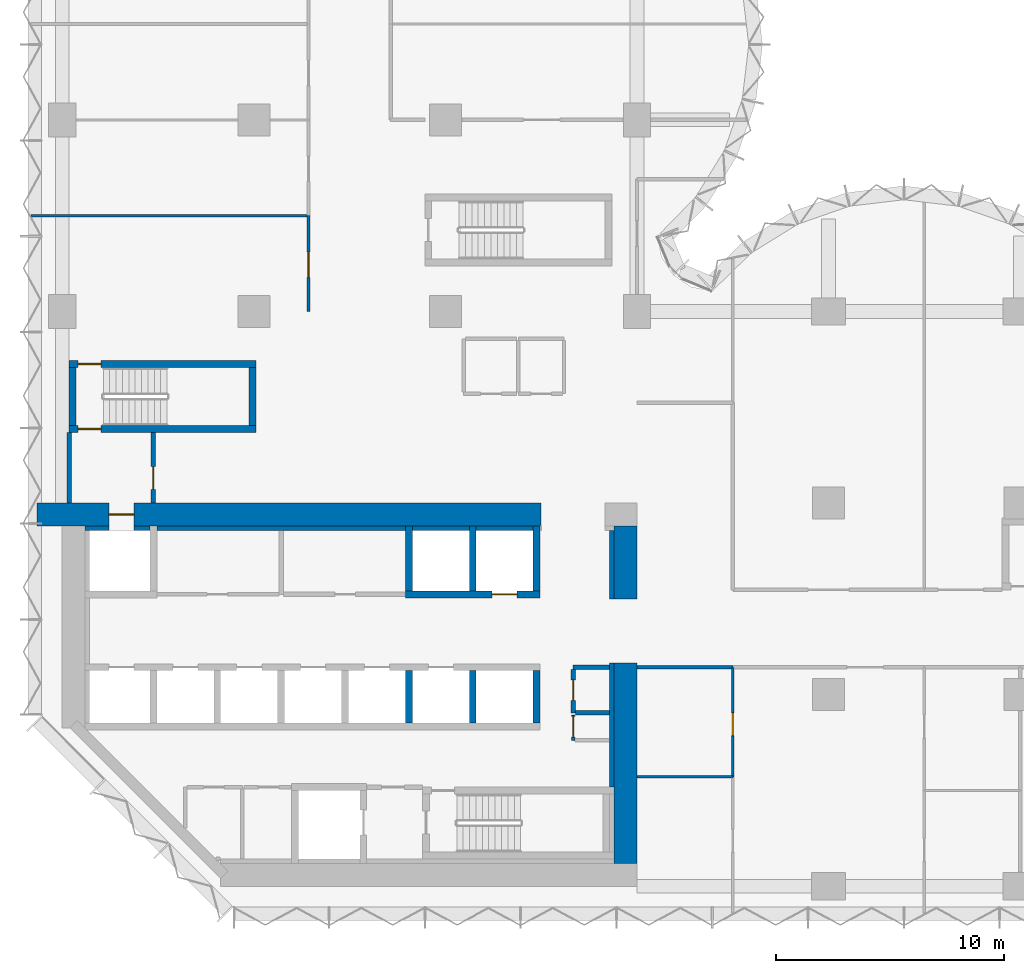
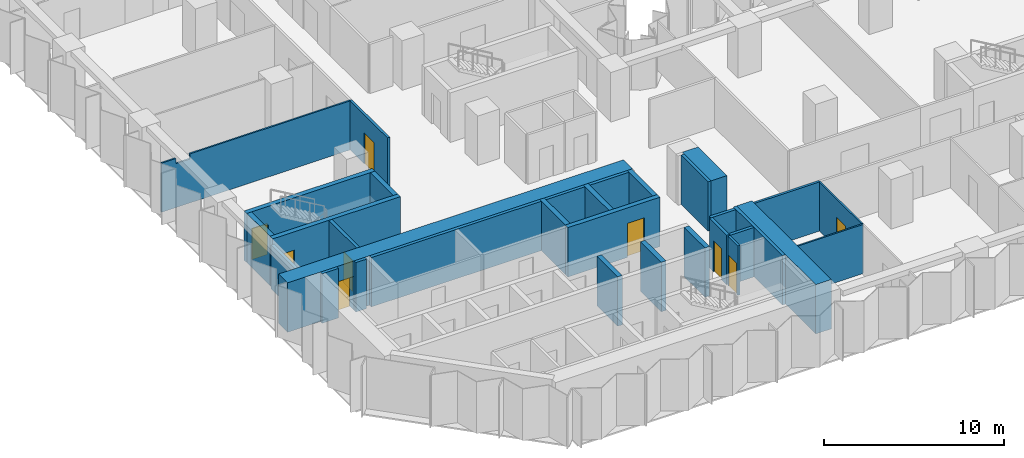
# One storey, part 8 of 15: 32 walls, 9 doors, 9 openings.
"""IFC4 building model written with IfcOpenShell, lengths in metres."""

from ifc_helpers import new_model, si_unit, direction, frame, frame_2d, origin, place, context, subcontext, project, spatial, polyline, rectangle, outline, extrude, material, layer, layer_set, type_object, element, fill, save


model = new_model("IFC4")

# Units and contexts
model_context = context("Model", 3, precision=1e-05, world=origin(), true_north=direction((0.0, 1.0)))
body_context = subcontext(model_context, "Body", "Model", "MODEL_VIEW")
ifc_project = project(units=[si_unit("LENGTHUNIT", "METRE"), si_unit("AREAUNIT", "SQUARE_METRE"), si_unit("VOLUMEUNIT", "CUBIC_METRE"), si_unit("PLANEANGLEUNIT", "RADIAN"), si_unit("MASSUNIT", "GRAM", prefix="KILO")], contexts=[model_context])

# Site, building, storey
site_placement = place(None, origin())
site = spatial("IfcSite", under=ifc_project, at=site_placement, CompositionType="ELEMENT")
building_placement = place(site_placement, origin())
building = spatial("IfcBuilding", under=site, at=building_placement, Name="Brevane Broadcast Tower", CompositionType="ELEMENT")
storey_placement = place(building_placement, frame((0.0, 0.0, 54.5)))
storey = spatial("IfcBuildingStorey", under=building, at=storey_placement, Name="L11", CompositionType="ELEMENT", Elevation=54.5)

# Walls
ifc_material_1 = material(Name="Concrete C32/40", Category="concrete")
ifc_layer_1 = layer(ifc_material_1, 0.199951171875)
ifc_layer_set_1 = layer_set([ifc_layer_1], Name="Core chase wall 200 mm")
wall_type_1 = type_object("IfcWallType", Name="Core chase wall 200 mm", PredefinedType="PARTITIONING", material=ifc_layer_set_1)
wall_1_placement = place(storey_placement, frame((24.10009765625, 12.60009765625, 0.0), z_axis=(0.0, 0.0, 1.0), x_axis=(0.0, 1.0, 0.0)))
element("IfcWall", 1, at=wall_1_placement, inside=storey, type_object=wall_type_1, Name="L11 chase wall LE2", PredefinedType="PARTITIONING", context=body_context, shape_type="SweptSolid", body=[
    extrude(rectangle(XDim=3.0, YDim=0.199951171875, at=frame_2d((1.5, 0.0))), origin(), (0.0, 0.0, 1.0), 3.35009765625),
])
wall_2_placement = place(storey_placement, frame((1.0, 15.699951171875, 0.0), z_axis=(0.0, 0.0, 1.0), x_axis=(1.0, 0.0, 0.0)))
element("IfcWall", 2, at=wall_2_placement, inside=storey, type_object=wall_type_1, Name="L11 chase wall LN0", PredefinedType="PARTITIONING", context=body_context, shape_type="SweptSolid", body=[
    extrude(rectangle(XDim=1.050048828125, YDim=0.199951171875, at=frame_2d((0.52490234375, 0.0))), origin(), (0.0, 0.0, 1.0), 3.35009765625),
])
wall_3_placement = place(storey_placement, frame((3.14990234375, 15.699951171875, 0.0), z_axis=(0.0, 0.0, 1.0), x_axis=(1.0, 0.0, 0.0)))
element("IfcWall", 3, at=wall_3_placement, inside=storey, type_object=wall_type_1, Name="L11 chase wall LN1-1", PredefinedType="PARTITIONING", context=body_context, shape_type="SweptSolid", body=[
    extrude(rectangle(XDim=0.7001953125, YDim=0.199951171875, at=frame_2d((0.35009765625, 0.0))), origin(), (0.0, 0.0, 1.0), 3.35009765625),
])
wall_4_placement = place(storey_placement, frame((4.14990234375, 15.699951171875, 0.0), z_axis=(0.0, 0.0, 1.0), x_axis=(1.0, 0.0, 0.0)))
element("IfcWall", 4, at=wall_4_placement, inside=storey, type_object=wall_type_1, Name="L11 chase wall LN1-2-1", PredefinedType="PARTITIONING", context=body_context, shape_type="SweptSolid", body=[
    extrude(rectangle(XDim=10.900146484375, YDim=0.199951171875, at=frame_2d((5.4501953125, 0.0))), origin(), (0.0, 0.0, 1.0), 3.35009765625),
])
for number, where, z_axis, x_axis, name in (
    (5, (15.35009765625, 15.699951171875, 0.0), (0.0, 0.0, 1.0), (1.0, 0.0, 0.0), "L11 chase wall LN1-2-2-1"),
    (6, (18.14990234375, 15.699951171875, 0.0), (0.0, 0.0, 1.0), (1.0, 0.0, 0.0), "L11 chase wall LN1-2-2-2-1"),
):
    element("IfcWall", number, at=place(storey_placement, frame(where, z_axis=z_axis, x_axis=x_axis)), inside=storey, type_object=wall_type_1, Name=name, PredefinedType="PARTITIONING", context=body_context, shape_type="SweptSolid", body=[
        extrude(rectangle(XDim=2.5, YDim=0.199951171875, at=frame_2d((1.25, 0.0))), origin(), (0.0, 0.0, 1.0), 3.35009765625),
    ])
wall_5_placement = place(storey_placement, frame((24.10009765625, 4.35009765625, 0.0), z_axis=(0.0, 0.0, 1.0), x_axis=(0.0, 1.0, 0.0)))
element("IfcWall", 7, at=wall_5_placement, inside=storey, type_object=wall_type_1, Name="L11 chase wall LE1-2-2", PredefinedType="PARTITIONING", context=body_context, shape_type="SweptSolid", body=[
    extrude(rectangle(XDim=5.449951171875, YDim=0.199951171875, at=frame_2d((2.72509765625, 0.0))), origin(), (0.0, 0.0, 1.0), 3.35009765625),
])

# Wall, opening, door
ifc_material_2 = material(Name="Gypsum board on steel studs", Category="steel")
ifc_layer_2 = layer(ifc_material_2, 0.14990234375)
ifc_layer_set_2 = layer_set([ifc_layer_2], Name="Core fire partition 150 mm")
wall_type_2 = type_object("IfcWallType", Name="Core fire partition 150 mm", PredefinedType="PARTITIONING", material=ifc_layer_set_2)
wall_6_placement = place(storey_placement, frame((22.39990234375, 7.5, 0.0), z_axis=(0.0, 0.0, 1.0), x_axis=(0.0, -1.0, 0.0)))
wall_6 = element("IfcWall", 8, at=wall_6_placement, inside=storey, type_object=wall_type_2, Name="L11 partition wall P22", PredefinedType="PARTITIONING", context=body_context, shape_type="SweptSolid", body=[
    extrude(rectangle(XDim=1.10009765625, YDim=0.14990234375, at=frame_2d((0.550048828125, 0.0))), origin(), (0.0, 0.0, 1.0), 3.35009765625),
])
opening_1_placement = place(wall_6_placement, frame((0.050048828125, 0.0, 0.0)))
opening_1 = element("IfcOpeningElement", 9, at=opening_1_placement, cuts=wall_6, Name="Opening L11-K19", PredefinedType="OPENING", context=body_context, shape_type="SweptSolid", body=[
    extrude(rectangle(XDim=0.89990234375, YDim=2.10009765625, at=frame_2d((0.449951171875, 1.050048828125))), frame((0.0, 0.0849609375, 0.0), z_axis=(0.0, -1.0, 0.0), x_axis=(1.0, 0.0, 0.0)), (0.0, 0.0, 1.0), 0.169921875),
])
ifc_material_3 = material(Name="Steel", Category="steel")
door_type_1 = type_object("IfcDoorType", Name="Service room door 900 x 2100", OperationType="SINGLE_SWING_LEFT", PredefinedType="DOOR", material=ifc_material_3)
door_1_placement = place(opening_1_placement, origin())
door_1 = element("IfcDoor", 10, at=door_1_placement, inside=storey, type_object=door_type_1, Name="Door L11-K19", OperationType="SINGLE_SWING_RIGHT", OverallHeight=2.10009765625, OverallWidth=0.89990234375, PredefinedType="DOOR", context=body_context, shape_type="SweptSolid", body=[
    extrude(rectangle(XDim=0.89990234375, YDim=2.10009765625, at=frame_2d((0.449951171875, 1.050048828125))), frame((0.0, 0.02490234375, 0.0), z_axis=(0.0, -1.0, 0.0), x_axis=(1.0, 0.0, 0.0)), (0.0, 0.0, 1.0), 0.050048828125),
])
fill(opening_1, door_1)

# Wall
ifc_layer_3 = layer(ifc_material_2, 0.199951171875)
ifc_layer_set_3 = layer_set([ifc_layer_3], Name="Core fire partition 200 mm")
wall_type_3 = type_object("IfcWallType", Name="Core fire partition 200 mm", PredefinedType="PARTITIONING", material=ifc_layer_set_3)
wall_7_placement = place(storey_placement, frame((0.300048828125, 16.81201171875, 0.0), z_axis=(0.0, 0.0, 1.0), x_axis=(0.0, 1.0, 0.0)))
element("IfcWall", 11, at=wall_7_placement, inside=storey, type_object=wall_type_3, Name="L11 partition wall P01", PredefinedType="PARTITIONING", context=body_context, shape_type="SweptSolid", body=[
    extrude(rectangle(XDim=3.075927734375, YDim=0.199951171875, at=frame_2d((1.5380859375, 0.0))), origin(), (0.0, 0.0, 1.0), 2.97998046875),
])

# Wall, opening, door
wall_8_placement = place(storey_placement, frame((4.0, 19.887939453125, 0.0), z_axis=(0.0, 0.0, 1.0), x_axis=(0.0, -1.0, 0.0)))
wall_8 = element("IfcWall", 12, at=wall_8_placement, inside=storey, type_object=wall_type_3, Name="L11 partition wall P02", PredefinedType="PARTITIONING", context=body_context, shape_type="SweptSolid", body=[
    extrude(rectangle(XDim=3.075927734375, YDim=0.199951171875, at=frame_2d((1.5380859375, 0.0))), origin(), (0.0, 0.0, 1.0), 3.35009765625),
])
opening_2_placement = place(wall_8_placement, frame((1.488037109375, 0.0, 0.0)))
opening_2 = element("IfcOpeningElement", 13, at=opening_2_placement, cuts=wall_8, Name="Opening L11-K23", PredefinedType="OPENING", context=body_context, shape_type="SweptSolid", body=[
    extrude(rectangle(XDim=1.0, YDim=2.10009765625, at=frame_2d((0.5, 1.050048828125))), frame((0.0, 0.10986328125, 0.0), z_axis=(0.0, -1.0, 0.0), x_axis=(1.0, 0.0, 0.0)), (0.0, 0.0, 1.0), 0.219970703125),
])
door_type_2 = type_object("IfcDoorType", Name="Stair door 1000 x 2100", OperationType="SINGLE_SWING_LEFT", PredefinedType="DOOR", material=ifc_material_3)
door_2_placement = place(opening_2_placement, origin())
door_2 = element("IfcDoor", 14, at=door_2_placement, inside=storey, type_object=door_type_2, Name="Door L11-K23", OperationType="SINGLE_SWING_RIGHT", OverallHeight=2.10009765625, OverallWidth=1.0, PredefinedType="DOOR", context=body_context, shape_type="SweptSolid", body=[
    extrude(rectangle(XDim=1.0, YDim=2.10009765625, at=frame_2d((0.5, 1.050048828125))), frame((0.0, 0.02490234375, 0.0), z_axis=(0.0, -1.0, 0.0), x_axis=(1.0, 0.0, 0.0)), (0.0, 0.0, 1.0), 0.050048828125),
])
fill(opening_2, door_2)

# Wall
wall_9_placement = place(storey_placement, frame((23.988037109375, 9.60009765625, 0.0), z_axis=(0.0, 0.0, 1.0), x_axis=(-1.0, 0.0, 0.0)))
element("IfcWall", 15, at=wall_9_placement, inside=storey, type_object=wall_type_3, Name="L11 partition wall P06", PredefinedType="PARTITIONING", context=body_context, shape_type="SweptSolid", body=[
    extrude(rectangle(XDim=1.588134765625, YDim=0.199951171875, at=frame_2d((0.7939453125, 0.0))), origin(), (0.0, 0.0, 1.0), 3.35009765625),
])

# Wall, opening, door
wall_10_placement = place(storey_placement, frame((22.39990234375, 9.5, 0.0), z_axis=(0.0, 0.0, 1.0), x_axis=(0.0, -1.0, 0.0)))
wall_10 = element("IfcWall", 16, at=wall_10_placement, inside=storey, type_object=wall_type_3, Name="L11 partition wall P07", PredefinedType="PARTITIONING", context=body_context, shape_type="SweptSolid", body=[
    extrude(rectangle(XDim=1.89990234375, YDim=0.199951171875, at=frame_2d((0.949951171875, 0.0))), origin(), (0.0, 0.0, 1.0), 3.35009765625),
])
opening_3_placement = place(wall_10_placement, frame((0.449951171875, 0.0, 0.0)))
opening_3 = element("IfcOpeningElement", 17, at=opening_3_placement, cuts=wall_10, Name="Opening L11-K20", PredefinedType="OPENING", context=body_context, shape_type="SweptSolid", body=[
    extrude(rectangle(XDim=0.89990234375, YDim=2.10009765625, at=frame_2d((0.449951171875, 1.050048828125))), frame((0.0, 0.10986328125, 0.0), z_axis=(0.0, -1.0, 0.0), x_axis=(1.0, 0.0, 0.0)), (0.0, 0.0, 1.0), 0.219970703125),
])
door_3_placement = place(opening_3_placement, origin())
door_3 = element("IfcDoor", 18, at=door_3_placement, inside=storey, type_object=door_type_1, Name="Door L11-K20", OperationType="SINGLE_SWING_LEFT", OverallHeight=2.10009765625, OverallWidth=0.89990234375, PredefinedType="DOOR", context=body_context, shape_type="SweptSolid", body=[
    extrude(rectangle(XDim=0.89990234375, YDim=2.10009765625, at=frame_2d((0.449951171875, 1.050048828125))), frame((0.0, 0.02490234375, 0.0), z_axis=(0.0, -1.0, 0.0), x_axis=(1.0, 0.0, 0.0)), (0.0, 0.0, 1.0), 0.050048828125),
])
fill(opening_3, door_3)

# Wall
wall_11_placement = place(storey_placement, frame((22.5, 7.60009765625, 0.0), z_axis=(0.0, 0.0, 1.0), x_axis=(1.0, 0.0, 0.0)))
element("IfcWall", 19, at=wall_11_placement, inside=storey, type_object=wall_type_3, Name="L11 partition wall P08", PredefinedType="PARTITIONING", context=body_context, shape_type="SweptSolid", body=[
    extrude(rectangle(XDim=1.488037109375, YDim=0.199951171875, at=frame_2d((0.744140625, 0.0))), origin(), (0.0, 0.0, 1.0), 3.35009765625),
])

# Wall, opening, door
ifc_material_4 = material(Name="Concrete C80/95", Category="concrete")
ifc_layer_4 = layer(ifc_material_4, 1.0)
ifc_layer_set_4 = layer_set([ifc_layer_4], Name="Core wall 1000 mm C80/95")
wall_type_4 = type_object("IfcWallType", Name="Core wall 1000 mm C80/95", PredefinedType="SHEAR", material=ifc_layer_set_4)
wall_12_placement = place(storey_placement, frame((-1.10009765625, 16.300048828125, 0.0), z_axis=(0.0, 0.0, 1.0), x_axis=(1.0, 0.0, 0.0)))
wall_12 = element("IfcWall", 20, at=wall_12_placement, inside=storey, type_object=wall_type_4, Name="L11 outer wall WN1", PredefinedType="SHEAR", context=body_context, shape_type="SweptSolid", body=[
    extrude(rectangle(XDim=22.10009765625, YDim=1.0, at=frame_2d((11.050048828125, 0.0))), origin(), (0.0, 0.0, 1.0), 3.35009765625),
])
opening_4_placement = place(wall_12_placement, frame((3.14990234375, 0.0, 0.0)))
opening_4 = element("IfcOpeningElement", 21, at=opening_4_placement, cuts=wall_12, Name="Opening LD", PredefinedType="OPENING", context=body_context, shape_type="SweptSolid", body=[
    extrude(rectangle(XDim=1.10009765625, YDim=2.300048828125, at=frame_2d((0.550048828125, 1.14990234375))), frame((0.0, 0.510009765625, 0.0), z_axis=(0.0, -1.0, 0.0), x_axis=(1.0, 0.0, 0.0)), (0.0, 0.0, 1.0), 1.02001953125),
])
ifc_material_5 = material(Name="Stainless steel", Category="steel")
door_type_3 = type_object("IfcDoorType", Name="Lift landing door", OperationType="SLIDING_TO_LEFT", PredefinedType="DOOR", material=ifc_material_5)
door_4_placement = place(opening_4_placement, origin())
door_4 = element("IfcDoor", 22, at=door_4_placement, inside=storey, type_object=door_type_3, Name="Landing door FF1 L11", OperationType="SLIDING_TO_LEFT", OverallHeight=2.300048828125, OverallWidth=1.10009765625, PredefinedType="DOOR", context=body_context, shape_type="SweptSolid", body=[
    extrude(rectangle(XDim=1.10009765625, YDim=2.300048828125, at=frame_2d((0.550048828125, 1.14990234375))), frame((0.0, 0.02490234375, 0.0), z_axis=(0.0, -1.0, 0.0), x_axis=(1.0, 0.0, 0.0)), (0.0, 0.0, 1.0), 0.050048828125),
])
fill(opening_4, door_4)

# Walls
wall_13_placement = place(storey_placement, frame((24.699951171875, 1.0, 0.0), z_axis=(0.0, 0.0, 1.0), x_axis=(0.0, 1.0, 0.0)))
element("IfcWall", 23, at=wall_13_placement, inside=storey, type_object=wall_type_4, Name="L11 outer wall WE1", PredefinedType="SHEAR", context=body_context, shape_type="SweptSolid", body=[
    extrude(rectangle(XDim=8.800048828125, YDim=1.0, at=frame_2d((4.39990234375, 0.0))), origin(), (0.0, 0.0, 1.0), 3.35009765625),
])
wall_14_placement = place(storey_placement, frame((24.699951171875, 12.60009765625, 0.0), z_axis=(0.0, 0.0, 1.0), x_axis=(0.0, 1.0, 0.0)))
element("IfcWall", 24, at=wall_14_placement, inside=storey, type_object=wall_type_4, Name="L11 outer wall WE2", PredefinedType="SHEAR", context=body_context, shape_type="SweptSolid", body=[
    extrude(rectangle(XDim=3.199951171875, YDim=1.0, at=frame_2d((1.60009765625, 0.0))), origin(), (0.0, 0.0, 1.0), 3.35009765625),
])
ifc_layer_5 = layer(ifc_material_4, 0.300048828125)
ifc_layer_set_5 = layer_set([ifc_layer_5], Name="Core wall 300 mm C80/95")
wall_type_5 = type_object("IfcWallType", Name="Core wall 300 mm C80/95", PredefinedType="SHEAR", material=ifc_layer_set_5)
for number, where, z_axis, x_axis, name in (
    (25, (15.199951171875, 7.14990234375, 0.0), (0.0, 0.0, 1.0), (0.0, 1.0, 0.0), "L11 shaft wall SH-S-P152"),
    (26, (18.0, 7.14990234375, 0.0), (0.0, 0.0, 1.0), (0.0, 1.0, 0.0), "L11 shaft wall SH-S-P180"),
    (27, (20.800048828125, 7.14990234375, 0.0), (0.0, 0.0, 1.0), (0.0, 1.0, 0.0), "L11 shaft wall SH-S-P208"),
):
    element("IfcWall", number, at=place(storey_placement, frame(where, z_axis=z_axis, x_axis=x_axis)), inside=storey, type_object=wall_type_5, Name=name, PredefinedType="SHEAR", context=body_context, shape_type="SweptSolid", body=[
        extrude(rectangle(XDim=2.300048828125, YDim=0.300048828125, at=frame_2d((1.14990234375, 0.0))), origin(), (0.0, 0.0, 1.0), 3.35009765625),
    ])

# Wall, opening, door
wall_15_placement = place(storey_placement, frame((15.050048828125, 12.800048828125, 0.0), z_axis=(0.0, 0.0, 1.0), x_axis=(1.0, 0.0, 0.0)))
wall_15 = element("IfcWall", 28, at=wall_15_placement, inside=storey, type_object=wall_type_5, Name="L11 shaft wall SH-N152-front", PredefinedType="SHEAR", context=body_context, shape_type="SweptSolid", body=[
    extrude(rectangle(XDim=5.89990234375, YDim=0.300048828125, at=frame_2d((2.949951171875, 0.0))), origin(), (0.0, 0.0, 1.0), 3.35009765625),
])
opening_5_placement = place(wall_15_placement, frame((3.800048828125, 0.0, 0.0)))
opening_5 = element("IfcOpeningElement", 29, at=opening_5_placement, cuts=wall_15, Name="Opening LD", PredefinedType="OPENING", context=body_context, shape_type="SweptSolid", body=[
    extrude(rectangle(XDim=1.10009765625, YDim=2.300048828125, at=frame_2d((0.550048828125, 1.14990234375))), frame((0.0, 0.159912109375, 0.0), z_axis=(0.0, -1.0, 0.0), x_axis=(1.0, 0.0, 0.0)), (0.0, 0.0, 1.0), 0.320068359375),
])
door_5_placement = place(opening_5_placement, origin())
door_5 = element("IfcDoor", 30, at=door_5_placement, inside=storey, type_object=door_type_3, Name="Landing door SL1 L11", OperationType="SLIDING_TO_LEFT", OverallHeight=2.300048828125, OverallWidth=1.10009765625, PredefinedType="DOOR", context=body_context, shape_type="SweptSolid", body=[
    extrude(rectangle(XDim=1.10009765625, YDim=2.300048828125, at=frame_2d((0.550048828125, 1.14990234375))), frame((0.0, 0.02490234375, 0.0), z_axis=(0.0, -1.0, 0.0), x_axis=(1.0, 0.0, 0.0)), (0.0, 0.0, 1.0), 0.050048828125),
])
fill(opening_5, door_5)

# Walls
for number, where, z_axis, x_axis, name in (
    (31, (15.199951171875, 12.949951171875, 0.0), (0.0, 0.0, 1.0), (0.0, 1.0, 0.0), "L11 shaft wall SH-N-P152"),
    (32, (18.0, 12.949951171875, 0.0), (0.0, 0.0, 1.0), (0.0, 1.0, 0.0), "L11 shaft wall SH-N-P180"),
    (33, (20.800048828125, 12.949951171875, 0.0), (0.0, 0.0, 1.0), (0.0, 1.0, 0.0), "L11 shaft wall SH-N-P208"),
):
    element("IfcWall", number, at=place(storey_placement, frame(where, z_axis=z_axis, x_axis=x_axis)), inside=storey, type_object=wall_type_5, Name=name, PredefinedType="SHEAR", context=body_context, shape_type="SweptSolid", body=[
        extrude(rectangle(XDim=2.85009765625, YDim=0.300048828125, at=frame_2d((1.425048828125, 0.0))), origin(), (0.0, 0.0, 1.0), 3.35009765625),
    ])

# Wall, opening, door
wall_16_placement = place(storey_placement, frame((8.5, 20.050048828125, 0.0), z_axis=(0.0, 0.0, 1.0), x_axis=(-1.0, 0.0, 0.0)))
wall_16 = element("IfcWall", 34, at=wall_16_placement, inside=storey, type_object=wall_type_5, Name="L11 stair wall ST-1-S", PredefinedType="SHEAR", context=body_context, shape_type="SweptSolid", body=[
    extrude(rectangle(XDim=8.199951171875, YDim=0.300048828125, at=frame_2d((4.10009765625, 0.0))), origin(), (0.0, 0.0, 1.0), 3.35009765625),
])
opening_6_placement = place(wall_16_placement, frame((6.800048828125, 0.0, 0.0)))
opening_6 = element("IfcOpeningElement", 35, at=opening_6_placement, cuts=wall_16, Name="Opening L11-K10", PredefinedType="OPENING", context=body_context, shape_type="SweptSolid", body=[
    extrude(rectangle(XDim=1.0, YDim=2.10009765625, at=frame_2d((0.5, 1.050048828125))), frame((0.0, 0.159912109375, 0.0), z_axis=(0.0, -1.0, 0.0), x_axis=(1.0, 0.0, 0.0)), (0.0, 0.0, 1.0), 0.320068359375),
])
door_6_placement = place(opening_6_placement, origin())
door_6 = element("IfcDoor", 36, at=door_6_placement, inside=storey, type_object=door_type_2, Name="Door L11-K10", OperationType="SINGLE_SWING_LEFT", OverallHeight=2.10009765625, OverallWidth=1.0, PredefinedType="DOOR", context=body_context, shape_type="SweptSolid", body=[
    extrude(rectangle(XDim=1.0, YDim=2.10009765625, at=frame_2d((0.5, 1.050048828125))), frame((0.0, 0.02490234375, 0.0), z_axis=(0.0, -1.0, 0.0), x_axis=(1.0, 0.0, 0.0)), (0.0, 0.0, 1.0), 0.050048828125),
])
fill(opening_6, door_6)

wall_17_placement = place(storey_placement, frame((0.300048828125, 22.89990234375, 0.0), z_axis=(0.0, 0.0, 1.0), x_axis=(1.0, 0.0, 0.0)))
wall_17 = element("IfcWall", 37, at=wall_17_placement, inside=storey, type_object=wall_type_5, Name="L11 stair wall ST-1-N", PredefinedType="SHEAR", context=body_context, shape_type="SweptSolid", body=[
    extrude(rectangle(XDim=8.199951171875, YDim=0.300048828125, at=frame_2d((4.10009765625, 0.0))), origin(), (0.0, 0.0, 1.0), 3.35009765625),
])
opening_7_placement = place(wall_17_placement, frame((0.39990234375, 0.0, 0.0)))
opening_7 = element("IfcOpeningElement", 38, at=opening_7_placement, cuts=wall_17, Name="Opening L11-K11", PredefinedType="OPENING", context=body_context, shape_type="SweptSolid", body=[
    extrude(rectangle(XDim=1.0, YDim=2.10009765625, at=frame_2d((0.5, 1.050048828125))), frame((0.0, 0.159912109375, 0.0), z_axis=(0.0, -1.0, 0.0), x_axis=(1.0, 0.0, 0.0)), (0.0, 0.0, 1.0), 0.320068359375),
])
door_7_placement = place(opening_7_placement, origin())
door_7 = element("IfcDoor", 39, at=door_7_placement, inside=storey, type_object=door_type_2, Name="Door L11-K11", OperationType="SINGLE_SWING_RIGHT", OverallHeight=2.10009765625, OverallWidth=1.0, PredefinedType="DOOR", context=body_context, shape_type="SweptSolid", body=[
    extrude(rectangle(XDim=1.0, YDim=2.10009765625, at=frame_2d((0.5, 1.050048828125))), frame((0.0, 0.02490234375, 0.0), z_axis=(0.0, -1.0, 0.0), x_axis=(1.0, 0.0, 0.0)), (0.0, 0.0, 1.0), 0.050048828125),
])
fill(opening_7, door_7)

# Walls
for number, where, z_axis, x_axis, name in (
    (40, (0.449951171875, 20.199951171875, 0.0), (0.0, 0.0, 1.0), (0.0, 1.0, 0.0), "L11 stair wall ST-1-W"),
    (41, (8.35009765625, 20.199951171875, 0.0), (0.0, 0.0, 1.0), (0.0, 1.0, 0.0), "L11 stair wall ST-1-E"),
):
    element("IfcWall", number, at=place(storey_placement, frame(where, z_axis=z_axis, x_axis=x_axis)), inside=storey, type_object=wall_type_5, Name=name, PredefinedType="SHEAR", context=body_context, shape_type="SweptSolid", body=[
        extrude(rectangle(XDim=2.550048828125, YDim=0.300048828125, at=frame_2d((1.27490234375, 0.0))), origin(), (0.0, 0.0, 1.0), 3.35009765625),
    ])

# Wall, opening, door
ifc_material_6 = material(Name="Gypsum board partition")
ifc_layer_6 = layer(ifc_material_6, 0.10009765625)
ifc_layer_set_6 = layer_set([ifc_layer_6], Name="PARTITION 100 STUD")
wall_type_6 = type_object("IfcWallType", Name="PARTITION 100 STUD", PredefinedType="PARTITIONING", material=ifc_layer_set_6)
wall_18_placement = place(storey_placement, frame((29.39990234375, 4.800048828125, 0.0), z_axis=(0.0, 0.0, 1.0), x_axis=(0.0, 1.0, 0.0)))
wall_18 = element("IfcWall", 42, at=wall_18_placement, inside=storey, type_object=wall_type_6, Name="Partition G02-020", PredefinedType="PARTITIONING", context=body_context, shape_type="SweptSolid", body=[
    extrude(rectangle(XDim=4.800048828125, YDim=0.10009765625, at=frame_2d((2.39990234375, 0.0))), origin(), (0.0, 0.0, 1.0), 3.330078125),
])
opening_8_placement = place(wall_18_placement, frame((1.800048828125, 0.0, 0.0)))
opening_8 = element("IfcOpeningElement", 43, at=opening_8_placement, cuts=wall_18, Name="Opening D08-006", PredefinedType="OPENING", context=body_context, shape_type="SweptSolid", body=[
    extrude(rectangle(XDim=1.0, YDim=2.10009765625, at=frame_2d((0.5, 1.050048828125))), frame((0.0, 0.06005859375, 0.0), z_axis=(0.0, -1.0, 0.0), x_axis=(1.0, 0.0, 0.0)), (0.0, 0.0, 1.0), 0.1201171875),
])
ifc_material_7 = material(Name="Timber door leaf", Category="wood")
door_type_4 = type_object("IfcDoorType", Name="DOOR SINGLE 1000 INTERNAL", OperationType="SINGLE_SWING_LEFT", PredefinedType="DOOR", material=ifc_material_7)
door_8_placement = place(opening_8_placement, origin())
door_8 = element("IfcDoor", 44, at=door_8_placement, inside=storey, type_object=door_type_4, Name="Door D08-006", OperationType="SINGLE_SWING_LEFT", OverallHeight=2.10009765625, OverallWidth=1.0, PredefinedType="DOOR", context=body_context, shape_type="SweptSolid", body=[
    extrude(rectangle(XDim=1.0, YDim=2.10009765625, at=frame_2d((0.5, 1.050048828125))), frame((0.0, 0.02490234375, 0.0), z_axis=(0.0, -1.0, 0.0), x_axis=(1.0, 0.0, 0.0)), (0.0, 0.0, 1.0), 0.050048828125),
])
fill(opening_8, door_8)

# Walls
wall_19_placement = place(storey_placement, frame((25.199951171875, 4.800048828125, 0.0), z_axis=(0.0, 0.0, 1.0), x_axis=(1.0, 0.0, 0.0)))
element("IfcWall", 45, at=wall_19_placement, inside=storey, type_object=wall_type_6, Name="Partition G02-025", PredefinedType="PARTITIONING", context=body_context, shape_type="SweptSolid", body=[
    extrude(rectangle(XDim=4.199951171875, YDim=0.10009765625, at=frame_2d((2.10009765625, 0.0))), origin(), (0.0, 0.0, 1.0), 3.330078125),
])
wall_20_placement = place(storey_placement, frame((-1.364990234375, 29.39990234375, 0.0), z_axis=(0.0, 0.0, 1.0), x_axis=(1.0, 0.0, 0.0)))
element("IfcWall", 46, at=wall_20_placement, inside=storey, type_object=wall_type_6, Name="Partition G02-055", PredefinedType="PARTITIONING", context=body_context, shape_type="SweptSolid", body=[
    extrude(outline(polyline([(0.0, 0.0), (12.1650390625, 0.0), (12.1650390625, 3.330078125), (1.81494140625, 3.330078125), (1.81298828125, 2.97998046875), (0.9169921875, 2.97998046875), (0.9150390625, 3.330078125), (0.264892578125, 3.330078125), (0.0, 3.330078125), (0.0, 0.0)])), frame((0.0, 0.050048828125, 0.0), z_axis=(0.0, -1.0, 0.0), x_axis=(1.0, 0.0, 0.0)), (0.0, 0.0, 1.0), 0.10009765625),
])
ifc_layer_7 = layer(ifc_material_6, 0.14990234375)
ifc_layer_set_7 = layer_set([ifc_layer_7], Name="PARTITION 150 EI 60")
wall_type_7 = type_object("IfcWallType", Name="PARTITION 150 EI 60", PredefinedType="PARTITIONING", material=ifc_layer_set_7)
wall_21_placement = place(storey_placement, frame((29.39990234375, 9.60009765625, 0.0), z_axis=(0.0, 0.0, 1.0), x_axis=(-1.0, 0.0, 0.0)))
element("IfcWall", 47, at=wall_21_placement, inside=storey, type_object=wall_type_7, Name="Partition G02-002", PredefinedType="PARTITIONING", context=body_context, shape_type="SweptSolid", body=[
    extrude(rectangle(XDim=4.199951171875, YDim=0.14990234375, at=frame_2d((2.10009765625, 0.0))), origin(), (0.0, 0.0, 1.0), 3.330078125),
])

# Wall, opening, door
wall_22_placement = place(storey_placement, frame((10.800048828125, 25.199951171875, 0.0), z_axis=(0.0, 0.0, 1.0), x_axis=(0.0, 1.0, 0.0)))
wall_22 = element("IfcWall", 48, at=wall_22_placement, inside=storey, type_object=wall_type_7, Name="Partition G02-035", PredefinedType="PARTITIONING", context=body_context, shape_type="SweptSolid", body=[
    extrude(rectangle(XDim=4.199951171875, YDim=0.14990234375, at=frame_2d((2.10009765625, 0.0))), origin(), (0.0, 0.0, 1.0), 3.330078125),
])
opening_9_placement = place(wall_22_placement, frame((1.5, 0.0, 0.0)))
opening_9 = element("IfcOpeningElement", 49, at=opening_9_placement, cuts=wall_22, Name="Opening D08-016", PredefinedType="OPENING", context=body_context, shape_type="SweptSolid", body=[
    extrude(rectangle(XDim=1.10009765625, YDim=2.10009765625, at=frame_2d((0.550048828125, 1.050048828125))), frame((0.0, 0.0849609375, 0.0), z_axis=(0.0, -1.0, 0.0), x_axis=(1.0, 0.0, 0.0)), (0.0, 0.0, 1.0), 0.169921875),
])
ifc_material_8 = material(Name="Fire-rated timber door leaf", Category="wood")
door_type_5 = type_object("IfcDoorType", Name="DOOR SINGLE 1100 FD30S", OperationType="SINGLE_SWING_LEFT", PredefinedType="DOOR", material=ifc_material_8)
door_9_placement = place(opening_9_placement, origin())
door_9 = element("IfcDoor", 50, at=door_9_placement, inside=storey, type_object=door_type_5, Name="Door D08-016", OperationType="SINGLE_SWING_LEFT", OverallHeight=2.10009765625, OverallWidth=1.10009765625, PredefinedType="DOOR", context=body_context, shape_type="SweptSolid", body=[
    extrude(rectangle(XDim=1.10009765625, YDim=2.10009765625, at=frame_2d((0.550048828125, 1.050048828125))), frame((0.0, 0.02490234375, 0.0), z_axis=(0.0, -1.0, 0.0), x_axis=(1.0, 0.0, 0.0)), (0.0, 0.0, 1.0), 0.050048828125),
])
fill(opening_9, door_9)

save(model, "model.ifc")
